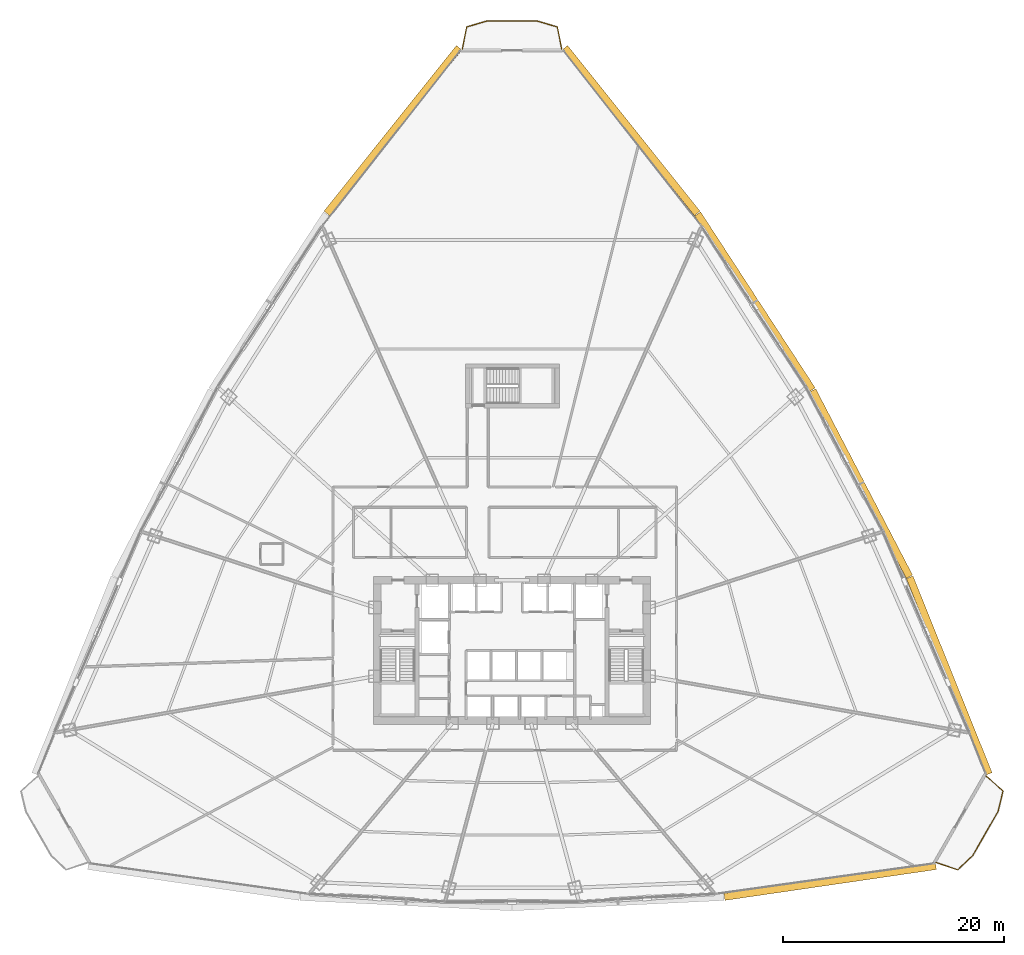
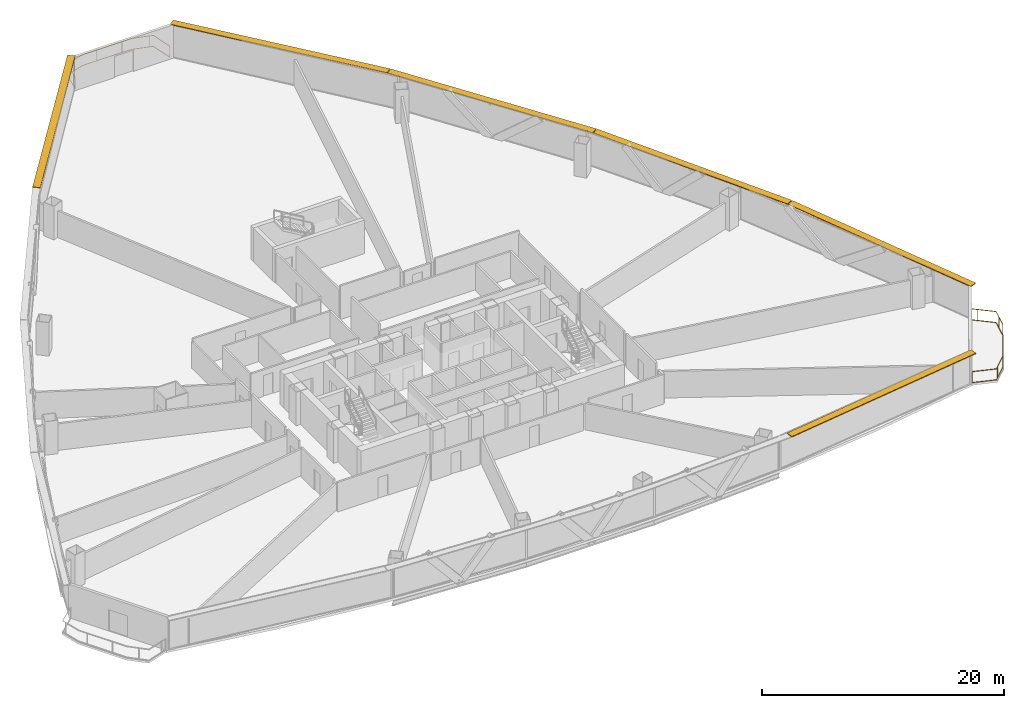
# One storey, part 37 of 37: 6 shading devices, 2 railings.
"""IFC4 building model written with IfcOpenShell, lengths in metres."""

from ifc_helpers import new_model, si_unit, direction, frame, origin, origin_2d, place, context, subcontext, project, spatial, rectangle, extrude, source, transform, mapped, material, layer, layer_set, type_object, element, save


model = new_model("IFC4")

# Units and contexts
model_context = context("Model", 3, precision=1e-05, world=origin(), true_north=direction((0.0, 1.0)))
body_context = subcontext(model_context, "Body", "Model", "MODEL_VIEW")
ifc_project = project(units=[si_unit("LENGTHUNIT", "METRE"), si_unit("AREAUNIT", "SQUARE_METRE"), si_unit("VOLUMEUNIT", "CUBIC_METRE"), si_unit("PLANEANGLEUNIT", "RADIAN"), si_unit("MASSUNIT", "GRAM", prefix="KILO"), si_unit("THERMODYNAMICTEMPERATUREUNIT", "KELVIN"), si_unit("POWERUNIT", "WATT")], contexts=[model_context])

# Site, building, storey
site_placement = place(None, origin())
site = spatial("IfcSite", under=ifc_project, at=site_placement, CompositionType="ELEMENT")
building_placement = place(site_placement, origin())
building = spatial("IfcBuilding", under=site, at=building_placement, Name="Yunzhuo Pagoda Commons", CompositionType="ELEMENT")
storey_placement = place(building_placement, frame((0.0, 0.0, 55.81005859375)))
storey = spatial("IfcBuildingStorey", under=building, at=storey_placement, Name="L14", CompositionType="ELEMENT", Elevation=55.81005859375)

# Railings
ifc_material = material(Name="Anodized aluminium 6063-T6", Category="aluminium")
railing_type = type_object("IfcRailingType", Name="RL-BAL1 Exterior Terrace & Balcony Balustrade 1150", PredefinedType="BALUSTRADE", material=ifc_material)
railing_1_placement = place(storey_placement, frame((86.410888671875, 14.6337890625, 0.0)))
element("IfcRailing", 1, at=railing_1_placement, inside=storey, type_object=railing_type, Name="L14 corner balcony balustrade V2", PredefinedType="BALUSTRADE", context=body_context, shape_type="SweptSolid", body=[
    extrude(rectangle(XDim=0.048095703125, YDim=0.048095703125, at=origin_2d()), frame((0.0, 0.0, 1.1259765625), z_axis=(0.947395259337, -0.320065965992, 0.0), x_axis=(0.320065965992, 0.947395259337, 0.0)), (0.0, 0.0, 1.0), 2.0595703125),
    extrude(rectangle(XDim=0.048095703125, YDim=0.048095703125, at=origin_2d()), frame((0.0, 0.0, 0.02392578125), z_axis=(0.947395259337, -0.320065965992, 0.0), x_axis=(0.320065965992, 0.947395259337, 0.0)), (0.0, 0.0, 1.0), 2.0595703125),
    extrude(rectangle(XDim=0.048095703125, YDim=0.048095703125, at=origin_2d()), frame((1.951171875, -0.6591796875, 1.1259765625), z_axis=(0.720429774389, 0.693527894302, 0.0), x_axis=(-0.693527894302, 0.720429774389, 0.0)), (0.0, 0.0, 1.0), 1.896728515625),
    extrude(rectangle(XDim=0.048095703125, YDim=0.048095703125, at=origin_2d()), frame((1.951171875, -0.6591796875, 0.02392578125), z_axis=(0.720429774389, 0.693527894302, 0.0), x_axis=(-0.693527894302, 0.720429774389, 0.0)), (0.0, 0.0, 1.0), 1.896728515625),
    extrude(rectangle(XDim=0.048095703125, YDim=0.048095703125, at=origin_2d()), frame((3.317626953125, 0.65625, 1.1259765625), z_axis=(0.497931801723, 0.867216190366, 0.0), x_axis=(-0.867216190366, 0.497931801723, 0.0)), (0.0, 0.0, 1.0), 4.60205078125),
    extrude(rectangle(XDim=0.048095703125, YDim=0.048095703125, at=origin_2d()), frame((3.317626953125, 0.65625, 0.02392578125), z_axis=(0.497931801723, 0.867216190366, 0.0), x_axis=(-0.867216190366, 0.497931801723, 0.0)), (0.0, 0.0, 1.0), 4.60205078125),
    extrude(rectangle(XDim=0.048095703125, YDim=0.048095703125, at=origin_2d()), frame((5.609130859375, 4.647216796875, 1.1259765625), z_axis=(0.235684758319, 0.971829560518, 0.0), x_axis=(-0.971829560518, 0.235684758319, 0.0)), (0.0, 0.0, 1.0), 1.896728515625),
    extrude(rectangle(XDim=0.048095703125, YDim=0.048095703125, at=origin_2d()), frame((5.609130859375, 4.647216796875, 0.02392578125), z_axis=(0.235684758319, 0.971829560518, 0.0), x_axis=(-0.971829560518, 0.235684758319, 0.0)), (0.0, 0.0, 1.0), 1.896728515625),
    extrude(rectangle(XDim=0.048095703125, YDim=0.048095703125, at=origin_2d()), frame((6.05615234375, 6.490478515625, 1.1259765625), z_axis=(-0.753933830692, 0.656950362614, 0.0), x_axis=(-0.656950362614, -0.753933830692, 0.0)), (0.0, 0.0, 1.0), 2.05908203125),
    extrude(rectangle(XDim=0.048095703125, YDim=0.048095703125, at=origin_2d()), frame((6.05615234375, 6.490478515625, 0.02392578125), z_axis=(-0.753933830692, 0.656950362614, 0.0), x_axis=(-0.656950362614, -0.753933830692, 0.0)), (0.0, 0.0, 1.0), 2.05908203125),
    extrude(rectangle(XDim=0.0419921875, YDim=0.0419921875, at=origin_2d()), origin(), (0.0, 0.0, 1.0), 1.101806640625),
    extrude(rectangle(XDim=0.0419921875, YDim=0.0419921875, at=origin_2d()), frame((2.196533203125, -0.423095703125, 0.0)), (0.0, 0.0, 1.0), 1.101806640625),
    extrude(rectangle(XDim=0.0419921875, YDim=0.0419921875, at=origin_2d()), frame((3.73779296875, 1.387939453125, 0.0)), (0.0, 0.0, 1.0), 1.101806640625),
    extrude(rectangle(XDim=0.0419921875, YDim=0.0419921875, at=origin_2d()), frame((4.932861328125, 3.46923828125, 0.0)), (0.0, 0.0, 1.0), 1.101806640625),
    extrude(rectangle(XDim=0.0419921875, YDim=0.0419921875, at=origin_2d()), frame((5.854736328125, 5.65966796875, 0.0)), (0.0, 0.0, 1.0), 1.101806640625),
    extrude(rectangle(XDim=0.0419921875, YDim=0.0419921875, at=origin_2d()), frame((4.891357421875, 7.50537109375, 0.0)), (0.0, 0.0, 1.0), 1.101806640625),
    extrude(rectangle(XDim=0.0419921875, YDim=0.0419921875, at=origin_2d()), frame((4.503662109375, 7.84326171875, 0.0)), (0.0, 0.0, 1.0), 1.101806640625),
])
railing_2_placement = place(storey_placement, frame((52.503173828125, 88.280517578125, 0.0)))
element("IfcRailing", 2, at=railing_2_placement, inside=storey, type_object=railing_type, Name="L14 corner balcony balustrade V3", PredefinedType="BALUSTRADE", context=body_context, shape_type="SweptSolid", body=[
    extrude(rectangle(XDim=0.048095703125, YDim=0.048095703125, at=origin_2d()), frame((0.0, 0.0, 1.1259765625), z_axis=(-0.194337253182, 0.980934774603, 0.0), x_axis=(-0.980934774603, -0.194337253182, 0.0)), (0.0, 0.0, 1.0), 2.05908203125),
    extrude(rectangle(XDim=0.048095703125, YDim=0.048095703125, at=origin_2d()), frame((0.0, 0.0, 0.02392578125), z_axis=(-0.194337253182, 0.980934774603, 0.0), x_axis=(-0.980934774603, -0.194337253182, 0.0)), (0.0, 0.0, 1.0), 2.05908203125),
    extrude(rectangle(XDim=0.048095703125, YDim=0.048095703125, at=origin_2d()), frame((-0.400146484375, 2.019775390625, 1.1259765625), z_axis=(-0.959762068021, 0.280814481088, 0.0), x_axis=(-0.280814481088, -0.959762068021, 0.0)), (0.0, 0.0, 1.0), 1.887451171875),
    extrude(rectangle(XDim=0.048095703125, YDim=0.048095703125, at=origin_2d()), frame((-0.400146484375, 2.019775390625, 0.02392578125), z_axis=(-0.959762068021, 0.280814481088, 0.0), x_axis=(-0.280814481088, -0.959762068021, 0.0)), (0.0, 0.0, 1.0), 1.887451171875),
    extrude(rectangle(XDim=0.048095703125, YDim=0.048095703125, at=origin_2d()), frame((-2.211669921875, 2.5498046875, 1.1259765625), z_axis=(-1.0, 0.0, 0.0), x_axis=(0.0, -1.0, 0.0)), (0.0, 0.0, 1.0), 4.5830078125),
    extrude(rectangle(XDim=0.048095703125, YDim=0.048095703125, at=origin_2d()), frame((-2.211669921875, 2.5498046875, 0.02392578125), z_axis=(-1.0, 0.0, 0.0), x_axis=(0.0, -1.0, 0.0)), (0.0, 0.0, 1.0), 4.5830078125),
    extrude(rectangle(XDim=0.048095703125, YDim=0.048095703125, at=origin_2d()), frame((-6.794677734375, 2.5498046875, 1.1259765625), z_axis=(-0.959762068021, -0.280814481088, 0.0), x_axis=(0.280814481088, -0.959762068021, 0.0)), (0.0, 0.0, 1.0), 1.887451171875),
    extrude(rectangle(XDim=0.048095703125, YDim=0.048095703125, at=origin_2d()), frame((-6.794677734375, 2.5498046875, 0.02392578125), z_axis=(-0.959762068021, -0.280814481088, 0.0), x_axis=(0.280814481088, -0.959762068021, 0.0)), (0.0, 0.0, 1.0), 1.887451171875),
    extrude(rectangle(XDim=0.048095703125, YDim=0.048095703125, at=origin_2d()), frame((-8.606201171875, 2.019775390625, 1.1259765625), z_axis=(-0.194337253182, -0.980934774603, 0.0), x_axis=(0.980934774603, -0.194337253182, 0.0)), (0.0, 0.0, 1.0), 2.05908203125),
    extrude(rectangle(XDim=0.048095703125, YDim=0.048095703125, at=origin_2d()), frame((-8.606201171875, 2.019775390625, 0.02392578125), z_axis=(-0.194337253182, -0.980934774603, 0.0), x_axis=(0.980934774603, -0.194337253182, 0.0)), (0.0, 0.0, 1.0), 2.05908203125),
    extrude(rectangle(XDim=0.0419921875, YDim=0.0419921875, at=origin_2d()), origin(), (0.0, 0.0, 1.0), 1.101806640625),
    extrude(rectangle(XDim=0.0419921875, YDim=0.0419921875, at=origin_2d()), frame((-0.727294921875, 2.115478515625, 0.0)), (0.0, 0.0, 1.0), 1.101806640625),
    extrude(rectangle(XDim=0.0419921875, YDim=0.0419921875, at=origin_2d()), frame((-3.065185546875, 2.5498046875, 0.0)), (0.0, 0.0, 1.0), 1.101806640625),
    extrude(rectangle(XDim=0.0419921875, YDim=0.0419921875, at=origin_2d()), frame((-5.465087890625, 2.5498046875, 0.0)), (0.0, 0.0, 1.0), 1.101806640625),
    extrude(rectangle(XDim=0.0419921875, YDim=0.0419921875, at=origin_2d()), frame((-7.822021484375, 2.249267578125, 0.0)), (0.0, 0.0, 1.0), 1.101806640625),
    extrude(rectangle(XDim=0.0419921875, YDim=0.0419921875, at=origin_2d()), frame((-8.913818359375, 0.467041015625, 0.0)), (0.0, 0.0, 1.0), 1.101806640625),
    extrude(rectangle(XDim=0.0419921875, YDim=0.0419921875, at=origin_2d()), frame((-9.00634765625, 0.0, 0.0)), (0.0, 0.0, 1.0), 1.101806640625),
])

# Shading devices
ifc_layer = layer(ifc_material, 0.080078125)
ifc_layer_set = layer_set([ifc_layer], Name="Anodized aluminium 6063-T6")
shading_device_type = type_object("IfcShadingDeviceType", Name="SH-SUN1 Pagoda Horizontal Sunshade Eave 650", PredefinedType="USERDEFINED", material=ifc_layer_set)
shared_shape_1 = source(origin(), body_context, "Body", "SweptSolid", [
    extrude(rectangle(XDim=19.34912109375, YDim=0.64990234375, at=origin_2d()), origin(), (0.0, 0.0, 1.0), 0.080078125),
])
shading_device_placement = place(storey_placement, frame((76.81298828125, 12.926513671875, 3.289794921875), z_axis=(0.0, 0.0, 1.0), x_axis=(0.989510666697, 0.144459823108, 0.0)))
element("IfcShadingDevice", 3, at=shading_device_placement, inside=storey, type_object=shading_device_type, Name="L14 horizontal pagoda sunshade eave F1.4", ObjectType="SUNSHADE", PredefinedType="USERDEFINED", context=body_context, shape_type="MappedRepresentation", body=[
    mapped(shared_shape_1, transform((0.0, 0.0, 0.0), scale=1.0)),
])
shared_shape_2 = source(origin(), body_context, "Body", "SweptSolid", [
    extrude(rectangle(XDim=19.193603515625, YDim=0.64990234375, at=origin_2d()), origin(), (0.0, 0.0, 1.0), 0.080078125),
])
for number, where, z_axis, x_axis, name in (
    (4, (87.590087890625, 31.55859375, 3.289794921875), (0.0, 0.0, 1.0), (-0.372987782576, 0.927836253899, 0.0), "L14 horizontal pagoda sunshade eave F2.1"),
    (5, (58.7763671875, 80.91943359375, 3.289794921875), (0.0, 0.0, 1.0), (-0.624520471688, 0.781008438138, 0.0), "L14 horizontal pagoda sunshade eave F2.4"),
    (6, (37.2236328125, 80.91943359375, 3.289794921875), (0.0, 0.0, 1.0), (-0.624520471688, -0.781008438138, 0.0), "L14 horizontal pagoda sunshade eave F3.1"),
):
    element("IfcShadingDevice", number, at=place(storey_placement, frame(where, z_axis=z_axis, x_axis=x_axis)), inside=storey, type_object=shading_device_type, Name=name, ObjectType="SUNSHADE", PredefinedType="USERDEFINED", context=body_context, shape_type="MappedRepresentation", body=[
        mapped(shared_shape_2, transform((0.0, 0.0, 0.0), scale=1.0)),
    ])
shared_shape_3 = source(origin(), body_context, "Body", "SweptSolid", [
    extrude(rectangle(XDim=19.01123046875, YDim=0.64990234375, at=origin_2d()), origin(), (0.0, 0.0, 1.0), 0.080078125),
])
for number, where, z_axis, x_axis, name in (
    (7, (79.60009765625, 48.95458984375, 3.289794921875), (0.0, 0.0, 1.0), (-0.461206683033, 0.88729273384, 0.0), "L14 horizontal pagoda sunshade eave F2.2"),
    (8, (69.995361328125, 65.408447265625, 3.289794921875), (0.0, 0.0, 1.0), (-0.545838756973, 0.837890238269, 0.0), "L14 horizontal pagoda sunshade eave F2.3"),
):
    element("IfcShadingDevice", number, at=place(storey_placement, frame(where, z_axis=z_axis, x_axis=x_axis)), inside=storey, type_object=shading_device_type, Name=name, ObjectType="SUNSHADE", PredefinedType="USERDEFINED", context=body_context, shape_type="MappedRepresentation", body=[
        mapped(shared_shape_3, transform((0.0, 0.0, 0.0), scale=1.0)),
    ])

save(model, "model.ifc")
